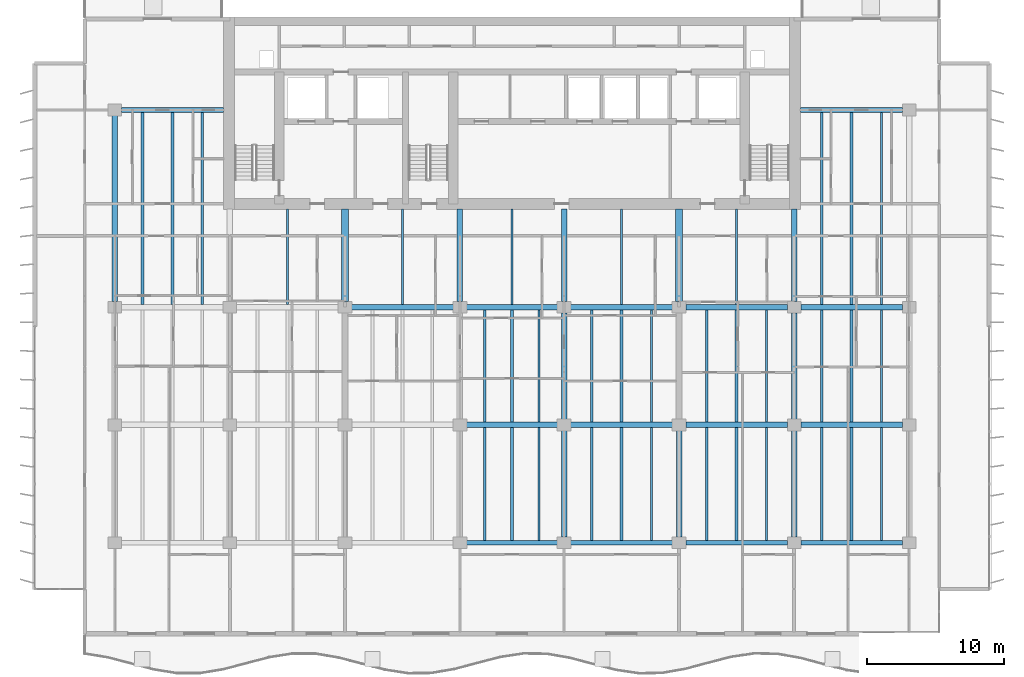
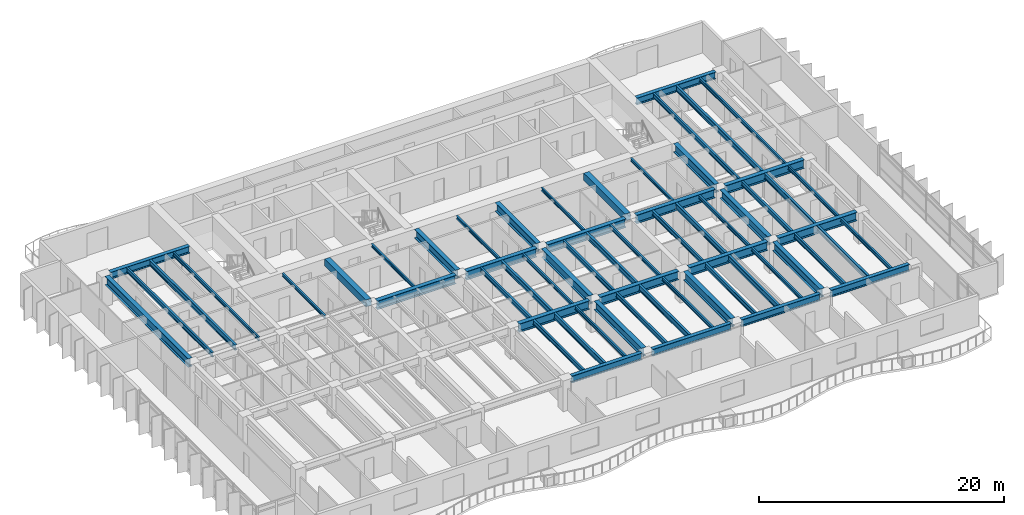
# One storey, part 3 of 17: 61 beams.
"""IFC4 building model written with IfcOpenShell, lengths in metres."""

from ifc_helpers import new_model, si_unit, direction, frame, origin, origin_2d, place, context, subcontext, project, spatial, rectangle, i_section, extrude, material, material_profile, profile_set, type_object, element, save


model = new_model("IFC4")

# Units and contexts
model_context = context("Model", 3, precision=1e-05, world=origin(), true_north=direction((0.0, 1.0)))
body_context = subcontext(model_context, "Body", "Model", "MODEL_VIEW")
ifc_project = project(units=[si_unit("LENGTHUNIT", "METRE"), si_unit("AREAUNIT", "SQUARE_METRE"), si_unit("VOLUMEUNIT", "CUBIC_METRE"), si_unit("PLANEANGLEUNIT", "RADIAN"), si_unit("MASSUNIT", "GRAM", prefix="KILO")], contexts=[model_context])

# Site, building, storey
site_placement = place(None, origin())
site = spatial("IfcSite", under=ifc_project, at=site_placement, CompositionType="ELEMENT")
building_placement = place(site_placement, origin())
building = spatial("IfcBuilding", under=site, at=building_placement, Name="Caelmar Bay Residences", CompositionType="ELEMENT")
storey_placement = place(building_placement, frame((0.0, 0.0, 109.199951171875)))
storey = spatial("IfcBuildingStorey", under=building, at=storey_placement, Name="L29", CompositionType="ELEMENT", Elevation=109.199951171875)

# Beams
ifc_material_1 = material(Name="Steel ASTM A992 Grade 50", Category="steel")
ifc_material_profile_1 = material_profile(ifc_material_1, i_section(OverallWidth=0.40087890625, OverallDepth=0.861083984375, WebThickness=0.019775390625, FlangeThickness=0.032470703125, FilletRadius=0.017822265625, at=origin_2d()), Name="W33X221")
ifc_profile_set_1 = profile_set([ifc_material_profile_1], Name="Steel ASTM A992 Grade 50")
beam_type_1 = type_object("IfcBeamType", Name="BM-GRD-W33X221", PredefinedType="BEAM", material=ifc_profile_set_1)
beam_1_placement = place(storey_placement, frame((35.590087890625, 20.800048828125, 2.61962890625), z_axis=(1.0, 0.0, 0.0), x_axis=(0.0, 1.0, 0.0)))
element("IfcBeam", 1, at=beam_1_placement, inside=storey, type_object=beam_type_1, Name="L29 East-West Girder Y=20.80 (35.1-42.7)", PredefinedType="BEAM", context=body_context, shape_type="SweptSolid", body=[
    extrude(i_section(OverallWidth=0.40087890625, OverallDepth=0.861083984375, WebThickness=0.019775390625, FlangeThickness=0.032470703125, FilletRadius=0.017822265625, at=origin_2d()), origin(), (0.0, 0.0, 1.0), 6.619873046875),
])
beam_2_placement = place(storey_placement, frame((43.18994140625, 20.800048828125, 2.61962890625), z_axis=(1.0, 0.0, 0.0), x_axis=(0.0, 1.0, 0.0)))
element("IfcBeam", 2, at=beam_2_placement, inside=storey, type_object=beam_type_1, Name="L29 East-West Girder Y=20.80 (42.7-51.1)", PredefinedType="BEAM", context=body_context, shape_type="SweptSolid", body=[
    extrude(i_section(OverallWidth=0.40087890625, OverallDepth=0.861083984375, WebThickness=0.019775390625, FlangeThickness=0.032470703125, FilletRadius=0.017822265625, at=origin_2d()), origin(), (0.0, 0.0, 1.0), 7.420166015625),
])
for number, where, z_axis, x_axis, name in (
    (3, (51.590087890625, 20.800048828125, 2.61962890625), (1.0, 0.0, 0.0), (0.0, 1.0, 0.0), "L29 East-West Girder Y=20.80 (51.1-59.5)"),
    (4, (59.989990234375, 20.800048828125, 2.61962890625), (1.0, 0.0, 0.0), (0.0, 1.0, 0.0), "L29 East-West Girder Y=20.80 (59.5-67.9)"),
):
    element("IfcBeam", number, at=place(storey_placement, frame(where, z_axis=z_axis, x_axis=x_axis)), inside=storey, type_object=beam_type_1, Name=name, PredefinedType="BEAM", context=body_context, shape_type="SweptSolid", body=[
        extrude(i_section(OverallWidth=0.40087890625, OverallDepth=0.861083984375, WebThickness=0.019775390625, FlangeThickness=0.032470703125, FilletRadius=0.017822265625, at=origin_2d()), origin(), (0.0, 0.0, 1.0), 7.419921875),
    ])
beam_3_placement = place(storey_placement, frame((27.18994140625, 29.39990234375, 2.61962890625), z_axis=(1.0, 0.0, 0.0), x_axis=(0.0, 1.0, 0.0)))
element("IfcBeam", 5, at=beam_3_placement, inside=storey, type_object=beam_type_1, Name="L29 East-West Girder Y=29.40 (26.7-35.1)", PredefinedType="BEAM", context=body_context, shape_type="SweptSolid", body=[
    extrude(i_section(OverallWidth=0.40087890625, OverallDepth=0.861083984375, WebThickness=0.019775390625, FlangeThickness=0.032470703125, FilletRadius=0.017822265625, at=origin_2d()), origin(), (0.0, 0.0, 1.0), 7.420166015625),
])
beam_4_placement = place(storey_placement, frame((35.590087890625, 29.39990234375, 2.61962890625), z_axis=(1.0, 0.0, 0.0), x_axis=(0.0, 1.0, 0.0)))
element("IfcBeam", 6, at=beam_4_placement, inside=storey, type_object=beam_type_1, Name="L29 East-West Girder Y=29.40 (35.1-42.7)", PredefinedType="BEAM", context=body_context, shape_type="SweptSolid", body=[
    extrude(i_section(OverallWidth=0.40087890625, OverallDepth=0.861083984375, WebThickness=0.019775390625, FlangeThickness=0.032470703125, FilletRadius=0.017822265625, at=origin_2d()), origin(), (0.0, 0.0, 1.0), 6.619873046875),
])
beam_5_placement = place(storey_placement, frame((43.18994140625, 29.39990234375, 2.61962890625), z_axis=(1.0, 0.0, 0.0), x_axis=(0.0, 1.0, 0.0)))
element("IfcBeam", 7, at=beam_5_placement, inside=storey, type_object=beam_type_1, Name="L29 East-West Girder Y=29.40 (42.7-51.1)", PredefinedType="BEAM", context=body_context, shape_type="SweptSolid", body=[
    extrude(i_section(OverallWidth=0.40087890625, OverallDepth=0.861083984375, WebThickness=0.019775390625, FlangeThickness=0.032470703125, FilletRadius=0.017822265625, at=origin_2d()), origin(), (0.0, 0.0, 1.0), 7.420166015625),
])
for number, where, z_axis, x_axis, name in (
    (8, (51.590087890625, 29.39990234375, 2.61962890625), (1.0, 0.0, 0.0), (0.0, 1.0, 0.0), "L29 East-West Girder Y=29.40 (51.1-59.5)"),
    (9, (59.989990234375, 29.39990234375, 2.61962890625), (1.0, 0.0, 0.0), (0.0, 1.0, 0.0), "L29 East-West Girder Y=29.40 (59.5-67.9)"),
):
    element("IfcBeam", number, at=place(storey_placement, frame(where, z_axis=z_axis, x_axis=x_axis)), inside=storey, type_object=beam_type_1, Name=name, PredefinedType="BEAM", context=body_context, shape_type="SweptSolid", body=[
        extrude(i_section(OverallWidth=0.40087890625, OverallDepth=0.861083984375, WebThickness=0.019775390625, FlangeThickness=0.032470703125, FilletRadius=0.017822265625, at=origin_2d()), origin(), (0.0, 0.0, 1.0), 7.419921875),
    ])
beam_6_placement = place(storey_placement, frame((9.89990234375, 29.81494140625, 2.61962890625), z_axis=(0.0, 1.0, 0.0), x_axis=(-1.0, 0.0, 0.0)))
element("IfcBeam", 10, at=beam_6_placement, inside=storey, type_object=beam_type_1, Name="L29 North-South Girder X=9.90 (29.4-43.8)", PredefinedType="BEAM", context=body_context, shape_type="SweptSolid", body=[
    extrude(i_section(OverallWidth=0.40087890625, OverallDepth=0.861083984375, WebThickness=0.019775390625, FlangeThickness=0.032470703125, FilletRadius=0.017822265625, at=origin_2d()), origin(), (0.0, 0.0, 1.0), 13.570068359375),
])
for number, where, z_axis, x_axis, name in (
    (11, (35.10009765625, 29.81494140625, 2.61962890625), (0.0, 1.0, 0.0), (-1.0, 0.0, 0.0), "L29 Core Tie Girder X=35.10"),
    (12, (42.699951171875, 29.81494140625, 2.61962890625), (0.0, 1.0, 0.0), (-1.0, 0.0, 0.0), "L29 Core Tie Girder X=42.70"),
):
    element("IfcBeam", number, at=place(storey_placement, frame(where, z_axis=z_axis, x_axis=x_axis)), inside=storey, type_object=beam_type_1, Name=name, PredefinedType="BEAM", context=body_context, shape_type="SweptSolid", body=[
        extrude(i_section(OverallWidth=0.40087890625, OverallDepth=0.861083984375, WebThickness=0.019775390625, FlangeThickness=0.032470703125, FilletRadius=0.017822265625, at=origin_2d()), origin(), (0.0, 0.0, 1.0), 6.735107421875),
    ])
for number, where, z_axis, x_axis, name in (
    (13, (42.699951171875, 12.614990234375, 2.61962890625), (0.0, 1.0, 0.0), (-1.0, 0.0, 0.0), "L29 North-South Girder X=42.70 (12.2-20.8)"),
    (14, (42.699951171875, 21.215087890625, 2.61962890625), (0.0, 1.0, 0.0), (-1.0, 0.0, 0.0), "L29 North-South Girder X=42.70 (20.8-29.4)"),
    (15, (51.10009765625, 12.614990234375, 2.61962890625), (0.0, 1.0, 0.0), (-1.0, 0.0, 0.0), "L29 North-South Girder X=51.10 (12.2-20.8)"),
):
    element("IfcBeam", number, at=place(storey_placement, frame(where, z_axis=z_axis, x_axis=x_axis)), inside=storey, type_object=beam_type_1, Name=name, PredefinedType="BEAM", context=body_context, shape_type="SweptSolid", body=[
        extrude(i_section(OverallWidth=0.40087890625, OverallDepth=0.861083984375, WebThickness=0.019775390625, FlangeThickness=0.032470703125, FilletRadius=0.017822265625, at=origin_2d()), origin(), (0.0, 0.0, 1.0), 7.77001953125),
    ])
beam_7_placement = place(storey_placement, frame((59.5, 29.81494140625, 2.61962890625), z_axis=(0.0, 1.0, 0.0), x_axis=(-1.0, 0.0, 0.0)))
element("IfcBeam", 16, at=beam_7_placement, inside=storey, type_object=beam_type_1, Name="L29 Core Tie Girder X=59.50", PredefinedType="BEAM", context=body_context, shape_type="SweptSolid", body=[
    extrude(i_section(OverallWidth=0.40087890625, OverallDepth=0.861083984375, WebThickness=0.019775390625, FlangeThickness=0.032470703125, FilletRadius=0.017822265625, at=origin_2d()), origin(), (0.0, 0.0, 1.0), 6.735107421875),
])
for number, where, z_axis, x_axis, name in (
    (17, (59.5, 12.614990234375, 2.61962890625), (0.0, 1.0, 0.0), (-1.0, 0.0, 0.0), "L29 North-South Girder X=59.50 (12.2-20.8)"),
    (18, (59.5, 21.215087890625, 2.61962890625), (0.0, 1.0, 0.0), (-1.0, 0.0, 0.0), "L29 North-South Girder X=59.50 (20.8-29.4)"),
):
    element("IfcBeam", number, at=place(storey_placement, frame(where, z_axis=z_axis, x_axis=x_axis)), inside=storey, type_object=beam_type_1, Name=name, PredefinedType="BEAM", context=body_context, shape_type="SweptSolid", body=[
        extrude(i_section(OverallWidth=0.40087890625, OverallDepth=0.861083984375, WebThickness=0.019775390625, FlangeThickness=0.032470703125, FilletRadius=0.017822265625, at=origin_2d()), origin(), (0.0, 0.0, 1.0), 7.77001953125),
    ])
ifc_material_profile_2 = material_profile(ifc_material_1, i_section(OverallWidth=0.1650390625, OverallDepth=0.31005859375, WebThickness=0.005859375, FlangeThickness=0.009765625, FilletRadius=0.007568359375, at=origin_2d()), Name="W12X26")
ifc_profile_set_2 = profile_set([ifc_material_profile_2], Name="Steel ASTM A992 Grade 50")
beam_type_2 = type_object("IfcBeamType", Name="BM-JST-W12X26", PredefinedType="JOIST", material=ifc_profile_set_2)
for number, where, z_axis, x_axis, name in (
    (19, (22.5, 29.6005859375, 2.89501953125), (0.0, 1.0, 0.0), (-1.0, 0.0, 0.0), "L29 Core-Band Composite Joist 43"),
    (20, (30.89990234375, 29.6005859375, 2.89501953125), (0.0, 1.0, 0.0), (-1.0, 0.0, 0.0), "L29 Core-Band Composite Joist 44"),
    (21, (38.89990234375, 29.6005859375, 2.89501953125), (0.0, 1.0, 0.0), (-1.0, 0.0, 0.0), "L29 Core-Band Composite Joist 45"),
    (22, (46.89990234375, 29.6005859375, 2.89501953125), (0.0, 1.0, 0.0), (-1.0, 0.0, 0.0), "L29 Core-Band Composite Joist 46"),
    (23, (55.300048828125, 29.6005859375, 2.89501953125), (0.0, 1.0, 0.0), (-1.0, 0.0, 0.0), "L29 Core-Band Composite Joist 47"),
):
    element("IfcBeam", number, at=place(storey_placement, frame(where, z_axis=z_axis, x_axis=x_axis)), inside=storey, type_object=beam_type_2, Name=name, PredefinedType="JOIST", context=body_context, shape_type="SweptSolid", body=[
        extrude(i_section(OverallWidth=0.1650390625, OverallDepth=0.31005859375, WebThickness=0.005859375, FlangeThickness=0.009765625, FilletRadius=0.007568359375, at=origin_2d()), origin(), (0.0, 0.0, 1.0), 6.949462890625),
    ])
ifc_material_profile_3 = material_profile(ifc_material_1, i_section(OverallWidth=0.1708984375, OverallDepth=0.35595703125, WebThickness=0.007080078125, FlangeThickness=0.01171875, FilletRadius=0.007568359375, at=origin_2d()), Name="W14X34")
ifc_profile_set_3 = profile_set([ifc_material_profile_3], Name="Steel ASTM A992 Grade 50")
beam_type_3 = type_object("IfcBeamType", Name="BM-JST-W14X34", PredefinedType="JOIST", material=ifc_profile_set_3)
for number, where, z_axis, x_axis, name in (
    (24, (40.8759765625, 12.3779296875, 2.8720703125), (0.0, 1.0, 0.0), (-1.0, 0.0, 0.0), "L29 Composite Floor Joist 12"),
    (25, (49.083984375, 12.3779296875, 2.8720703125), (0.0, 1.0, 0.0), (-1.0, 0.0, 0.0), "L29 Composite Floor Joist 15"),
    (26, (57.48388671875, 12.3779296875, 2.8720703125), (0.0, 1.0, 0.0), (-1.0, 0.0, 0.0), "L29 Composite Floor Joist 18"),
    (27, (65.884033203125, 12.3779296875, 2.8720703125), (0.0, 1.0, 0.0), (-1.0, 0.0, 0.0), "L29 Composite Floor Joist 21"),
):
    element("IfcBeam", number, at=place(storey_placement, frame(where, z_axis=z_axis, x_axis=x_axis)), inside=storey, type_object=beam_type_3, Name=name, PredefinedType="JOIST", context=body_context, shape_type="SweptSolid", body=[
        extrude(i_section(OverallWidth=0.1708984375, OverallDepth=0.35595703125, WebThickness=0.007080078125, FlangeThickness=0.01171875, FilletRadius=0.007568359375, at=origin_2d()), origin(), (0.0, 0.0, 1.0), 8.2216796875),
    ])
for number, where, z_axis, x_axis, name in (
    (28, (40.8759765625, 21.00048828125, 2.8720703125), (0.0, 1.0, 0.0), (-1.0, 0.0, 0.0), "L29 Composite Floor Joist 33"),
    (29, (49.083984375, 21.00048828125, 2.8720703125), (0.0, 1.0, 0.0), (-1.0, 0.0, 0.0), "L29 Composite Floor Joist 36"),
    (30, (57.48388671875, 21.00048828125, 2.8720703125), (0.0, 1.0, 0.0), (-1.0, 0.0, 0.0), "L29 Composite Floor Joist 39"),
    (31, (65.884033203125, 21.00048828125, 2.8720703125), (0.0, 1.0, 0.0), (-1.0, 0.0, 0.0), "L29 Composite Floor Joist 42"),
):
    element("IfcBeam", number, at=place(storey_placement, frame(where, z_axis=z_axis, x_axis=x_axis)), inside=storey, type_object=beam_type_3, Name=name, PredefinedType="JOIST", context=body_context, shape_type="SweptSolid", body=[
        extrude(i_section(OverallWidth=0.1708984375, OverallDepth=0.35595703125, WebThickness=0.007080078125, FlangeThickness=0.01171875, FilletRadius=0.007568359375, at=origin_2d()), origin(), (0.0, 0.0, 1.0), 8.198974609375),
    ])
for number, where, z_axis, x_axis, name in (
    (32, (16.283935546875, 29.6005859375, 2.8720703125), (0.0, 1.0, 0.0), (-1.0, 0.0, 0.0), "L29 Composite Floor Joist 50"),
    (33, (65.884033203125, 29.6005859375, 2.8720703125), (0.0, 1.0, 0.0), (-1.0, 0.0, 0.0), "L29 Composite Floor Joist 53"),
):
    element("IfcBeam", number, at=place(storey_placement, frame(where, z_axis=z_axis, x_axis=x_axis)), inside=storey, type_object=beam_type_3, Name=name, PredefinedType="JOIST", context=body_context, shape_type="SweptSolid", body=[
        extrude(i_section(OverallWidth=0.1708984375, OverallDepth=0.35595703125, WebThickness=0.007080078125, FlangeThickness=0.01171875, FilletRadius=0.007568359375, at=origin_2d()), origin(), (0.0, 0.0, 1.0), 14.021484375),
    ])
ifc_material_profile_4 = material_profile(ifc_material_1, i_section(OverallWidth=0.19091796875, OverallDepth=0.45703125, WebThickness=0.009033203125, FlangeThickness=0.014404296875, FilletRadius=0.01025390625, at=origin_2d()), Name="W18X50")
ifc_profile_set_4 = profile_set([ifc_material_profile_4], Name="Steel ASTM A992 Grade 50")
beam_type_4 = type_object("IfcBeamType", Name="BM-JST-W18X50", PredefinedType="JOIST", material=ifc_profile_set_4)
for number, where, z_axis, x_axis, name in (
    (34, (36.924072265625, 12.3779296875, 2.821533203125), (0.0, 1.0, 0.0), (-1.0, 0.0, 0.0), "L29 Composite Floor Joist 10"),
    (35, (44.716064453125, 12.3779296875, 2.821533203125), (0.0, 1.0, 0.0), (-1.0, 0.0, 0.0), "L29 Composite Floor Joist 13"),
    (36, (53.115966796875, 12.3779296875, 2.821533203125), (0.0, 1.0, 0.0), (-1.0, 0.0, 0.0), "L29 Composite Floor Joist 16"),
    (37, (61.51611328125, 12.3779296875, 2.821533203125), (0.0, 1.0, 0.0), (-1.0, 0.0, 0.0), "L29 Composite Floor Joist 19"),
):
    element("IfcBeam", number, at=place(storey_placement, frame(where, z_axis=z_axis, x_axis=x_axis)), inside=storey, type_object=beam_type_4, Name=name, PredefinedType="JOIST", context=body_context, shape_type="SweptSolid", body=[
        extrude(i_section(OverallWidth=0.19091796875, OverallDepth=0.45703125, WebThickness=0.009033203125, FlangeThickness=0.014404296875, FilletRadius=0.01025390625, at=origin_2d()), origin(), (0.0, 0.0, 1.0), 8.2216796875),
    ])
for number, where, z_axis, x_axis, name in (
    (38, (36.924072265625, 21.00048828125, 2.821533203125), (0.0, 1.0, 0.0), (-1.0, 0.0, 0.0), "L29 Composite Floor Joist 31"),
    (39, (44.716064453125, 21.00048828125, 2.821533203125), (0.0, 1.0, 0.0), (-1.0, 0.0, 0.0), "L29 Composite Floor Joist 34"),
    (40, (53.115966796875, 21.00048828125, 2.821533203125), (0.0, 1.0, 0.0), (-1.0, 0.0, 0.0), "L29 Composite Floor Joist 37"),
    (41, (61.51611328125, 21.00048828125, 2.821533203125), (0.0, 1.0, 0.0), (-1.0, 0.0, 0.0), "L29 Composite Floor Joist 40"),
):
    element("IfcBeam", number, at=place(storey_placement, frame(where, z_axis=z_axis, x_axis=x_axis)), inside=storey, type_object=beam_type_4, Name=name, PredefinedType="JOIST", context=body_context, shape_type="SweptSolid", body=[
        extrude(i_section(OverallWidth=0.19091796875, OverallDepth=0.45703125, WebThickness=0.009033203125, FlangeThickness=0.014404296875, FilletRadius=0.01025390625, at=origin_2d()), origin(), (0.0, 0.0, 1.0), 8.198974609375),
    ])
for number, where, z_axis, x_axis, name in (
    (42, (11.916015625, 29.6005859375, 2.821533203125), (0.0, 1.0, 0.0), (-1.0, 0.0, 0.0), "L29 Composite Floor Joist 48"),
    (43, (61.51611328125, 29.6005859375, 2.821533203125), (0.0, 1.0, 0.0), (-1.0, 0.0, 0.0), "L29 Composite Floor Joist 51"),
):
    element("IfcBeam", number, at=place(storey_placement, frame(where, z_axis=z_axis, x_axis=x_axis)), inside=storey, type_object=beam_type_4, Name=name, PredefinedType="JOIST", context=body_context, shape_type="SweptSolid", body=[
        extrude(i_section(OverallWidth=0.19091796875, OverallDepth=0.45703125, WebThickness=0.009033203125, FlangeThickness=0.014404296875, FilletRadius=0.01025390625, at=origin_2d()), origin(), (0.0, 0.0, 1.0), 14.021484375),
    ])
ifc_material_profile_5 = material_profile(ifc_material_1, i_section(OverallWidth=0.214111328125, OverallDepth=0.549072265625, WebThickness=0.0146484375, FlangeThickness=0.023681640625, FilletRadius=0.0126953125, at=origin_2d()), Name="W21X93")
ifc_profile_set_5 = profile_set([ifc_material_profile_5], Name="Steel ASTM A992 Grade 50")
beam_type_5 = type_object("IfcBeamType", Name="BM-JST-W21X93", PredefinedType="JOIST", material=ifc_profile_set_5)
for number, where, z_axis, x_axis, name in (
    (44, (38.89990234375, 12.3779296875, 2.775634765625), (0.0, 1.0, 0.0), (-1.0, 0.0, 0.0), "L29 Composite Floor Joist 11"),
    (45, (46.89990234375, 12.3779296875, 2.775634765625), (0.0, 1.0, 0.0), (-1.0, 0.0, 0.0), "L29 Composite Floor Joist 14"),
    (46, (55.300048828125, 12.3779296875, 2.775634765625), (0.0, 1.0, 0.0), (-1.0, 0.0, 0.0), "L29 Composite Floor Joist 17"),
    (47, (63.699951171875, 12.3779296875, 2.775634765625), (0.0, 1.0, 0.0), (-1.0, 0.0, 0.0), "L29 Composite Floor Joist 20"),
):
    element("IfcBeam", number, at=place(storey_placement, frame(where, z_axis=z_axis, x_axis=x_axis)), inside=storey, type_object=beam_type_5, Name=name, PredefinedType="JOIST", context=body_context, shape_type="SweptSolid", body=[
        extrude(i_section(OverallWidth=0.214111328125, OverallDepth=0.549072265625, WebThickness=0.0146484375, FlangeThickness=0.023681640625, FilletRadius=0.0126953125, at=origin_2d()), origin(), (0.0, 0.0, 1.0), 8.2216796875),
    ])
for number, where, z_axis, x_axis, name in (
    (48, (38.89990234375, 21.00048828125, 2.775634765625), (0.0, 1.0, 0.0), (-1.0, 0.0, 0.0), "L29 Composite Floor Joist 32"),
    (49, (46.89990234375, 21.00048828125, 2.775634765625), (0.0, 1.0, 0.0), (-1.0, 0.0, 0.0), "L29 Composite Floor Joist 35"),
    (50, (55.300048828125, 21.00048828125, 2.775634765625), (0.0, 1.0, 0.0), (-1.0, 0.0, 0.0), "L29 Composite Floor Joist 38"),
    (51, (63.699951171875, 21.00048828125, 2.775634765625), (0.0, 1.0, 0.0), (-1.0, 0.0, 0.0), "L29 Composite Floor Joist 41"),
):
    element("IfcBeam", number, at=place(storey_placement, frame(where, z_axis=z_axis, x_axis=x_axis)), inside=storey, type_object=beam_type_5, Name=name, PredefinedType="JOIST", context=body_context, shape_type="SweptSolid", body=[
        extrude(i_section(OverallWidth=0.214111328125, OverallDepth=0.549072265625, WebThickness=0.0146484375, FlangeThickness=0.023681640625, FilletRadius=0.0126953125, at=origin_2d()), origin(), (0.0, 0.0, 1.0), 8.198974609375),
    ])
for number, where, z_axis, x_axis, name in (
    (52, (14.10009765625, 29.6005859375, 2.775634765625), (0.0, 1.0, 0.0), (-1.0, 0.0, 0.0), "L29 Composite Floor Joist 49"),
    (53, (63.699951171875, 29.6005859375, 2.775634765625), (0.0, 1.0, 0.0), (-1.0, 0.0, 0.0), "L29 Composite Floor Joist 52"),
):
    element("IfcBeam", number, at=place(storey_placement, frame(where, z_axis=z_axis, x_axis=x_axis)), inside=storey, type_object=beam_type_5, Name=name, PredefinedType="JOIST", context=body_context, shape_type="SweptSolid", body=[
        extrude(i_section(OverallWidth=0.214111328125, OverallDepth=0.549072265625, WebThickness=0.0146484375, FlangeThickness=0.023681640625, FilletRadius=0.0126953125, at=origin_2d()), origin(), (0.0, 0.0, 1.0), 14.021484375),
    ])
ifc_material_2 = material(Name="Concrete f'c 55 MPa (8,000 psi)", Category="concrete")
ifc_material_profile_6 = material_profile(ifc_material_2, rectangle(XDim=0.5, YDim=0.699951171875, at=origin_2d()), Name="RC-BM-500X700")
ifc_profile_set_6 = profile_set([ifc_material_profile_6], Name="Concrete f'c 55 MPa (8,000 psi)")
beam_type_6 = type_object("IfcBeamType", Name="BM-RC-500X700", PredefinedType="LINTEL", material=ifc_profile_set_6)
for number, where, z_axis, x_axis, name in (
    (54, (26.699951171875, 29.81494140625, 2.699951171875), (0.0, 1.0, 0.0), (-1.0, 0.0, 0.0), "L29 Shear-Wall Corridor Coupling Lintel W5"),
    (55, (51.10009765625, 29.81494140625, 2.699951171875), (0.0, 1.0, 0.0), (-1.0, 0.0, 0.0), "L29 Shear-Wall Corridor Coupling Lintel E8"),
):
    element("IfcBeam", number, at=place(storey_placement, frame(where, z_axis=z_axis, x_axis=x_axis)), inside=storey, type_object=beam_type_6, Name=name, PredefinedType="LINTEL", context=body_context, shape_type="SweptSolid", body=[
        extrude(rectangle(XDim=0.5, YDim=0.699951171875, at=origin_2d()), origin(), (0.0, 0.0, 1.0), 6.735107421875),
    ])
ifc_material_profile_7 = material_profile(ifc_material_1, i_section(OverallWidth=0.35595703125, OverallDepth=0.696044921875, WebThickness=0.015380859375, FlangeThickness=0.02490234375, FilletRadius=0.01513671875, at=origin_2d()), Name="W27X146")
ifc_profile_set_7 = profile_set([ifc_material_profile_7], Name="Steel ASTM A992 Grade 50")
beam_type_7 = type_object("IfcBeamType", Name="BM-SPN-W27X146", PredefinedType="SPANDREL", material=ifc_profile_set_7)
beam_8_placement = place(storey_placement, frame((35.590087890625, 12.199951171875, 2.7021484375), z_axis=(1.0, 0.0, 0.0), x_axis=(0.0, 1.0, 0.0)))
element("IfcBeam", 56, at=beam_8_placement, inside=storey, type_object=beam_type_7, Name="L29 East-West Girder Y=12.20 (35.1-42.7)", PredefinedType="SPANDREL", context=body_context, shape_type="SweptSolid", body=[
    extrude(i_section(OverallWidth=0.35595703125, OverallDepth=0.696044921875, WebThickness=0.015380859375, FlangeThickness=0.02490234375, FilletRadius=0.01513671875, at=origin_2d()), origin(), (0.0, 0.0, 1.0), 6.619873046875),
])
beam_9_placement = place(storey_placement, frame((43.18994140625, 12.199951171875, 2.7021484375), z_axis=(1.0, 0.0, 0.0), x_axis=(0.0, 1.0, 0.0)))
element("IfcBeam", 57, at=beam_9_placement, inside=storey, type_object=beam_type_7, Name="L29 East-West Girder Y=12.20 (42.7-51.1)", PredefinedType="SPANDREL", context=body_context, shape_type="SweptSolid", body=[
    extrude(i_section(OverallWidth=0.35595703125, OverallDepth=0.696044921875, WebThickness=0.015380859375, FlangeThickness=0.02490234375, FilletRadius=0.01513671875, at=origin_2d()), origin(), (0.0, 0.0, 1.0), 7.420166015625),
])
for number, where, z_axis, x_axis, name in (
    (58, (51.590087890625, 12.199951171875, 2.7021484375), (1.0, 0.0, 0.0), (0.0, 1.0, 0.0), "L29 East-West Girder Y=12.20 (51.1-59.5)"),
    (59, (59.989990234375, 12.199951171875, 2.7021484375), (1.0, 0.0, 0.0), (0.0, 1.0, 0.0), "L29 East-West Girder Y=12.20 (59.5-67.9)"),
):
    element("IfcBeam", number, at=place(storey_placement, frame(where, z_axis=z_axis, x_axis=x_axis)), inside=storey, type_object=beam_type_7, Name=name, PredefinedType="SPANDREL", context=body_context, shape_type="SweptSolid", body=[
        extrude(i_section(OverallWidth=0.35595703125, OverallDepth=0.696044921875, WebThickness=0.015380859375, FlangeThickness=0.02490234375, FilletRadius=0.01513671875, at=origin_2d()), origin(), (0.0, 0.0, 1.0), 7.419921875),
    ])
beam_10_placement = place(storey_placement, frame((10.389892578125, 43.800048828125, 2.7021484375), z_axis=(1.0, 0.0, 0.0), x_axis=(0.0, 1.0, 0.0)))
element("IfcBeam", 60, at=beam_10_placement, inside=storey, type_object=beam_type_7, Name="L29 North-West Wing Core Tie Girder", PredefinedType="SPANDREL", context=body_context, shape_type="SweptSolid", body=[
    extrude(i_section(OverallWidth=0.35595703125, OverallDepth=0.696044921875, WebThickness=0.015380859375, FlangeThickness=0.02490234375, FilletRadius=0.01513671875, at=origin_2d()), origin(), (0.0, 0.0, 1.0), 7.460205078125),
])
beam_11_placement = place(storey_placement, frame((59.949951171875, 43.800048828125, 2.7021484375), z_axis=(1.0, 0.0, 0.0), x_axis=(0.0, 1.0, 0.0)))
element("IfcBeam", 61, at=beam_11_placement, inside=storey, type_object=beam_type_7, Name="L29 North-East Wing Core Tie Girder", PredefinedType="SPANDREL", context=body_context, shape_type="SweptSolid", body=[
    extrude(i_section(OverallWidth=0.35595703125, OverallDepth=0.696044921875, WebThickness=0.015380859375, FlangeThickness=0.02490234375, FilletRadius=0.01513671875, at=origin_2d()), origin(), (0.0, 0.0, 1.0), 7.4599609375),
])

save(model, "model.ifc")
